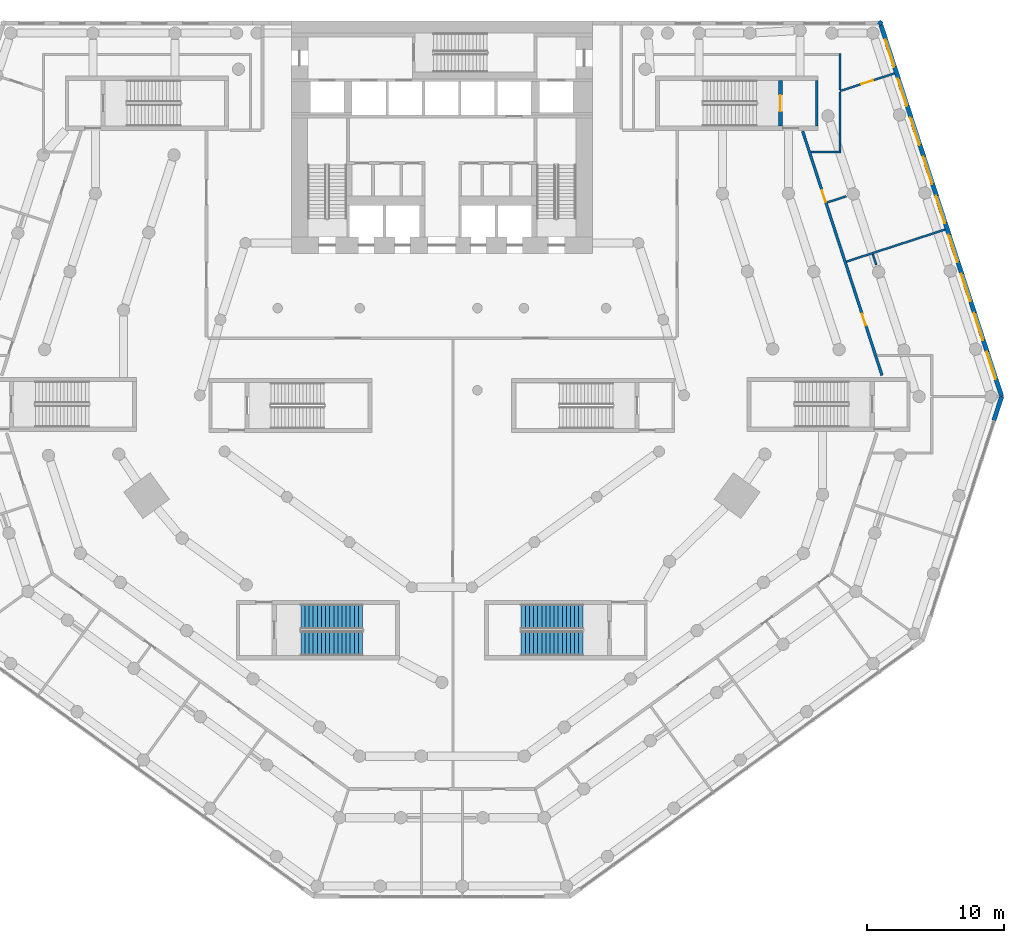
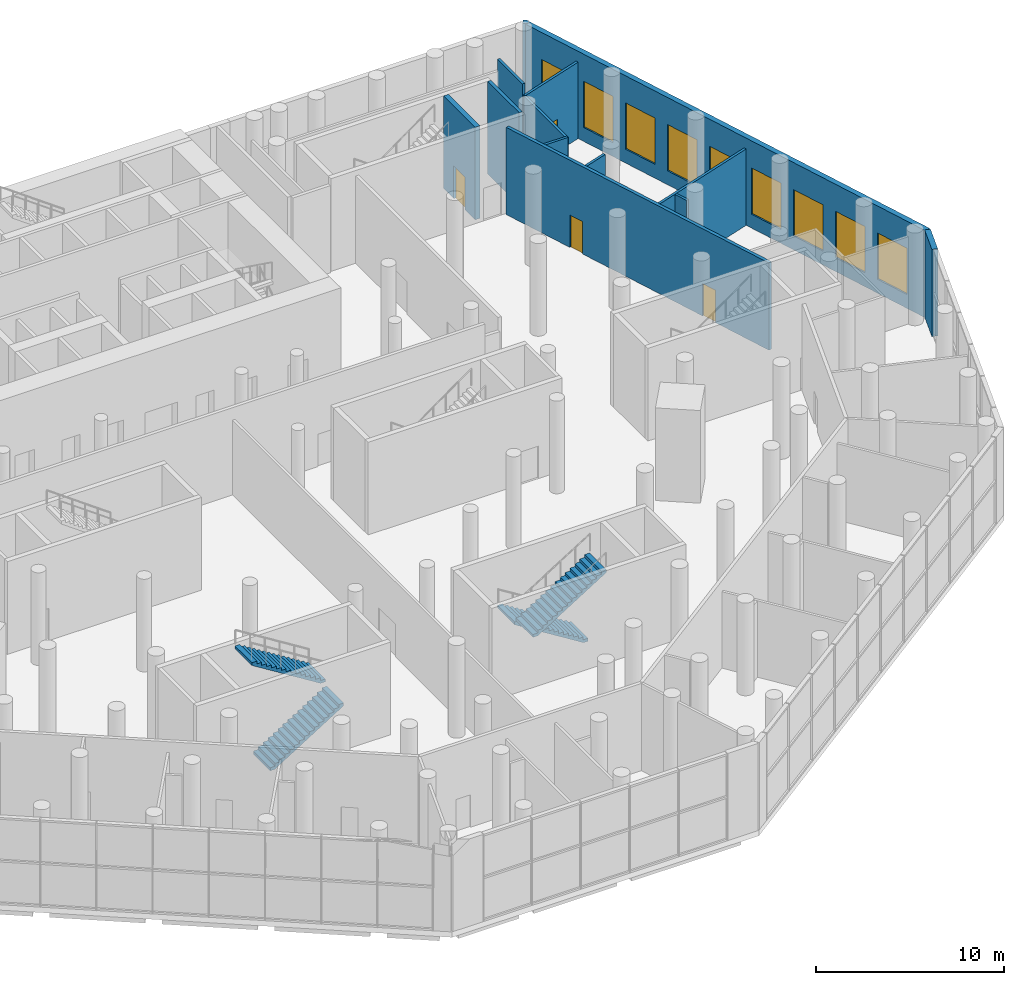
# One storey, part 18 of 23: 13 walls, 9 windows, 4 doors, 4 stair flights, 13 openings, 2 elements without a shape of their own.
"""IFC4 building model written with IfcOpenShell, lengths in metres."""

from ifc_helpers import new_model, si_unit, direction, frame, frame_2d, origin, place, context, subcontext, project, spatial, polyline, rectangle, outline, extrude, material, layer, layer_set, type_object, element, fill, aggregate, save


model = new_model("IFC4")

# Units and contexts
model_context = context("Model", 3, precision=1e-05, world=origin(), true_north=direction((0.0, 1.0)))
body_context = subcontext(model_context, "Body", "Model", "MODEL_VIEW")
ifc_project = project(units=[si_unit("LENGTHUNIT", "METRE"), si_unit("AREAUNIT", "SQUARE_METRE"), si_unit("VOLUMEUNIT", "CUBIC_METRE"), si_unit("PLANEANGLEUNIT", "RADIAN"), si_unit("MASSUNIT", "GRAM", prefix="KILO")], contexts=[model_context])

# Site, building, storey
site_placement = place(None, origin())
site = spatial("IfcSite", under=ifc_project, at=site_placement, CompositionType="ELEMENT")
building_placement = place(site_placement, origin())
building = spatial("IfcBuilding", under=site, at=building_placement, Name="White Candle Pilgrim Tower", CompositionType="ELEMENT")
storey_placement = place(building_placement, frame((0.0, 0.0, 9.0)))
storey = spatial("IfcBuildingStorey", under=building, at=storey_placement, Name="L01", CompositionType="ELEMENT", Elevation=9.0)

# Wall
ifc_material_1 = material(Name="Concrete C70/85", Category="concrete")
ifc_layer_1 = layer(ifc_material_1, 0.199951171875)
ifc_layer_set_1 = layer_set([ifc_layer_1], Name="Core wall 200 mm Concrete C70/85")
wall_type_1 = type_object("IfcWallType", Name="Core wall 200 mm Concrete C70/85", PredefinedType="SHEAR", material=ifc_layer_set_1)
wall_1_placement = place(storey_placement, frame((97.39990234375, 80.300048828125, 0.0), z_axis=(0.0, 0.0, 1.0), x_axis=(0.0, 1.0, 0.0)))
element("IfcWall", 1, at=wall_1_placement, inside=storey, type_object=wall_type_1, Name="WL-L01-C61", PredefinedType="SHEAR", context=body_context, shape_type="SweptSolid", body=[
    extrude(rectangle(XDim=3.349853515625, YDim=0.199951171875, at=frame_2d((1.6748046875, 0.0))), origin(), (0.0, 0.0, 1.0), 6.0),
])

# Wall, openings, doors
ifc_material_2 = material(Name="Gypsum board on steel studs", Category="steel")
ifc_layer_2 = layer(ifc_material_2, 0.199951171875)
ifc_layer_set_2 = layer_set([ifc_layer_2], Name="Corridor wall 200 mm EI 45")
wall_type_2 = type_object("IfcWallType", Name="Corridor wall 200 mm EI 45", PredefinedType="PARTITIONING", material=ifc_layer_set_2)
wall_2_placement = place(storey_placement, frame((96.36767578125, 79.930908203125, 0.0), z_axis=(0.0, 0.0, 1.0), x_axis=(0.309014892187, -0.951057199335, 0.0)))
wall_2 = element("IfcWall", 2, at=wall_2_placement, inside=storey, type_object=wall_type_2, Name="WL-L01-P007", PredefinedType="PARTITIONING", context=body_context, shape_type="SweptSolid", body=[
    extrude(rectangle(XDim=18.768798828125, YDim=0.199951171875, at=frame_2d((9.38427734375, 0.0))), origin(), (0.0, 0.0, 1.0), 5.64990234375),
])
opening_1_placement = place(wall_2_placement, frame((14.029296875, 0.0, 0.0)))
opening_1 = element("IfcOpeningElement", 3, at=opening_1_placement, cuts=wall_2, Name="Opening L01-119", PredefinedType="OPENING", context=body_context, shape_type="SweptSolid", body=[
    extrude(rectangle(XDim=0.89990234375, YDim=2.10009765625, at=frame_2d((0.449951171875, 1.050048828125))), frame((0.0, 0.10986328125, 0.0), z_axis=(0.0, -1.0, 0.0), x_axis=(1.0, 0.0, 0.0)), (0.0, 0.0, 1.0), 0.219970703125),
])
opening_2_placement = place(wall_2_placement, frame((4.539794921875, 0.0, 0.0)))
opening_2 = element("IfcOpeningElement", 4, at=opening_2_placement, cuts=wall_2, Name="Opening L01-120", PredefinedType="OPENING", context=body_context, shape_type="SweptSolid", body=[
    extrude(rectangle(XDim=0.89990234375, YDim=2.10009765625, at=frame_2d((0.449951171875, 1.050048828125))), frame((0.0, 0.10986328125, 0.0), z_axis=(0.0, -1.0, 0.0), x_axis=(1.0, 0.0, 0.0)), (0.0, 0.0, 1.0), 0.219970703125),
])
ifc_material_3 = material(Name="Steel door leaf", Category="steel")
door_type_1 = type_object("IfcDoorType", Name="Fire door 900 x 2100 EI 30", OperationType="NOTDEFINED", PredefinedType="DOOR", material=ifc_material_3)
door_1_placement = place(opening_1_placement, origin())
door_1 = element("IfcDoor", 5, at=door_1_placement, inside=storey, type_object=door_type_1, Name="Door L01-119", OperationType="SINGLE_SWING_LEFT", OverallHeight=2.10009765625, OverallWidth=0.89990234375, PredefinedType="DOOR", context=body_context, shape_type="SweptSolid", body=[
    extrude(rectangle(XDim=0.89990234375, YDim=2.10009765625, at=frame_2d((0.449951171875, 1.050048828125))), frame((0.0, 0.02490234375, 0.0), z_axis=(0.0, -1.0, 0.0), x_axis=(1.0, 0.0, 0.0)), (0.0, 0.0, 1.0), 0.050048828125),
])
fill(opening_1, door_1)
door_2_placement = place(opening_2_placement, origin())
door_2 = element("IfcDoor", 6, at=door_2_placement, inside=storey, type_object=door_type_1, Name="Door L01-120", OperationType="SINGLE_SWING_RIGHT", OverallHeight=2.10009765625, OverallWidth=0.89990234375, PredefinedType="DOOR", context=body_context, shape_type="SweptSolid", body=[
    extrude(rectangle(XDim=0.89990234375, YDim=2.10009765625, at=frame_2d((0.449951171875, 1.050048828125))), frame((0.0, 0.02490234375, 0.0), z_axis=(0.0, -1.0, 0.0), x_axis=(1.0, 0.0, 0.0)), (0.0, 0.0, 1.0), 0.050048828125),
])
fill(opening_2, door_2)

# Walls
ifc_material_4 = material(Name="Precast concrete C40/50", Category="concrete")
ifc_layer_3 = layer(ifc_material_4, 0.320068359375)
ifc_layer_set_3 = layer_set([ifc_layer_3], Name="Facade wall EW3 precast concrete C40/50 and stone-faced podium wall")
wall_type_3 = type_object("IfcWallType", Name="Facade wall EW3 precast concrete C40/50 and stone-faced podium wall", PredefinedType="SOLIDWALL", material=ifc_layer_set_3)
wall_3_placement = place(storey_placement, frame((102.16259765625, 87.751953125, 0.0), z_axis=(0.0, 0.0, 1.0), x_axis=(-0.809087927272, 0.587687609145, 0.0)))
element("IfcWall", 7, at=wall_3_placement, inside=storey, type_object=wall_type_3, Name="Corner pier L01 ENE", PredefinedType="SOLIDWALL", context=body_context, shape_type="SweptSolid", body=[
    extrude(rectangle(XDim=0.300048828125, YDim=0.320068359375, at=frame_2d((0.14990234375, 0.0))), origin(), (0.0, 0.0, 1.0), 5.64990234375),
])
wall_4_placement = place(storey_placement, frame((110.33984375, 58.77880859375, 0.0), z_axis=(0.0, 0.0, 1.0), x_axis=(0.309056246022, 0.951043761766, 0.0)))
element("IfcWall", 8, at=wall_4_placement, inside=storey, type_object=wall_type_3, Name="Facade wall L01 E chamfer", PredefinedType="SOLIDWALL", context=body_context, shape_type="SweptSolid", body=[
    extrude(rectangle(XDim=1.850830078125, YDim=0.320068359375, at=frame_2d((0.92529296875, 0.0))), origin(), (0.0, 0.0, 1.0), 5.64990234375),
])

# Wall, openings, windows
wall_5_placement = place(storey_placement, frame((110.911865234375, 60.5390625, 0.0), z_axis=(0.0, 0.0, 1.0), x_axis=(-0.309016476183, 0.951056684666, 0.0)))
wall_5 = element("IfcWall", 9, at=wall_5_placement, inside=storey, type_object=wall_type_3, Name="Facade wall L01 ENE", PredefinedType="SOLIDWALL", context=body_context, shape_type="SweptSolid", body=[
    extrude(rectangle(XDim=28.555908203125, YDim=0.320068359375, at=frame_2d((14.27783203125, 0.0))), origin(), (0.0, 0.0, 1.0), 5.64990234375),
])
opening_3_placement = place(wall_5_placement, frame((1.3349609375, 0.0, 0.89990234375)))
opening_3 = element("IfcOpeningElement", 10, at=opening_3_placement, cuts=wall_5, Name="Opening W7", PredefinedType="OPENING", context=body_context, shape_type="SweptSolid", body=[
    extrude(rectangle(XDim=2.10009765625, YDim=3.0, at=frame_2d((1.050048828125, 1.5))), frame((0.0, 0.169921875, 0.0), z_axis=(0.0, -1.0, 0.0), x_axis=(1.0, 0.0, 0.0)), (0.0, 0.0, 1.0), 0.340087890625),
])
opening_4_placement = place(wall_5_placement, frame((4.3349609375, 0.0, 0.89990234375)))
opening_4 = element("IfcOpeningElement", 11, at=opening_4_placement, cuts=wall_5, Name="Opening W7", PredefinedType="OPENING", context=body_context, shape_type="SweptSolid", body=[
    extrude(rectangle(XDim=2.10009765625, YDim=3.0, at=frame_2d((1.050048828125, 1.5))), frame((0.0, 0.169921875, 0.0), z_axis=(0.0, -1.0, 0.0), x_axis=(1.0, 0.0, 0.0)), (0.0, 0.0, 1.0), 0.340087890625),
])
opening_5_placement = place(wall_5_placement, frame((7.3349609375, 0.0, 0.89990234375)))
opening_5 = element("IfcOpeningElement", 12, at=opening_5_placement, cuts=wall_5, Name="Opening W7", PredefinedType="OPENING", context=body_context, shape_type="SweptSolid", body=[
    extrude(rectangle(XDim=2.10009765625, YDim=3.0, at=frame_2d((1.050048828125, 1.5))), frame((0.0, 0.169921875, 0.0), z_axis=(0.0, -1.0, 0.0), x_axis=(1.0, 0.0, 0.0)), (0.0, 0.0, 1.0), 0.340087890625),
])
opening_6_placement = place(wall_5_placement, frame((10.3349609375, 0.0, 0.89990234375)))
opening_6 = element("IfcOpeningElement", 13, at=opening_6_placement, cuts=wall_5, Name="Opening W7", PredefinedType="OPENING", context=body_context, shape_type="SweptSolid", body=[
    extrude(rectangle(XDim=2.10009765625, YDim=3.0, at=frame_2d((1.050048828125, 1.5))), frame((0.0, 0.169921875, 0.0), z_axis=(0.0, -1.0, 0.0), x_axis=(1.0, 0.0, 0.0)), (0.0, 0.0, 1.0), 0.340087890625),
])
opening_7_placement = place(wall_5_placement, frame((13.3349609375, 0.0, 0.89990234375)))
opening_7 = element("IfcOpeningElement", 14, at=opening_7_placement, cuts=wall_5, Name="Opening W7", PredefinedType="OPENING", context=body_context, shape_type="SweptSolid", body=[
    extrude(rectangle(XDim=2.10009765625, YDim=3.0, at=frame_2d((1.050048828125, 1.5))), frame((0.0, 0.169921875, 0.0), z_axis=(0.0, -1.0, 0.0), x_axis=(1.0, 0.0, 0.0)), (0.0, 0.0, 1.0), 0.340087890625),
])
opening_8_placement = place(wall_5_placement, frame((16.3349609375, 0.0, 0.89990234375)))
opening_8 = element("IfcOpeningElement", 15, at=opening_8_placement, cuts=wall_5, Name="Opening W7", PredefinedType="OPENING", context=body_context, shape_type="SweptSolid", body=[
    extrude(rectangle(XDim=2.10009765625, YDim=3.0, at=frame_2d((1.050048828125, 1.5))), frame((0.0, 0.169921875, 0.0), z_axis=(0.0, -1.0, 0.0), x_axis=(1.0, 0.0, 0.0)), (0.0, 0.0, 1.0), 0.340087890625),
])
opening_9_placement = place(wall_5_placement, frame((19.3349609375, 0.0, 0.89990234375)))
opening_9 = element("IfcOpeningElement", 16, at=opening_9_placement, cuts=wall_5, Name="Opening W7", PredefinedType="OPENING", context=body_context, shape_type="SweptSolid", body=[
    extrude(rectangle(XDim=2.10009765625, YDim=3.0, at=frame_2d((1.050048828125, 1.5))), frame((0.0, 0.169921875, 0.0), z_axis=(0.0, -1.0, 0.0), x_axis=(1.0, 0.0, 0.0)), (0.0, 0.0, 1.0), 0.340087890625),
])
opening_10_placement = place(wall_5_placement, frame((22.3349609375, 0.0, 0.89990234375)))
opening_10 = element("IfcOpeningElement", 17, at=opening_10_placement, cuts=wall_5, Name="Opening W7", PredefinedType="OPENING", context=body_context, shape_type="SweptSolid", body=[
    extrude(rectangle(XDim=2.10009765625, YDim=3.0, at=frame_2d((1.050048828125, 1.5))), frame((0.0, 0.169921875, 0.0), z_axis=(0.0, -1.0, 0.0), x_axis=(1.0, 0.0, 0.0)), (0.0, 0.0, 1.0), 0.340087890625),
])
opening_11_placement = place(wall_5_placement, frame((25.3349609375, 0.0, 0.89990234375)))
opening_11 = element("IfcOpeningElement", 18, at=opening_11_placement, cuts=wall_5, Name="Opening W7", PredefinedType="OPENING", context=body_context, shape_type="SweptSolid", body=[
    extrude(rectangle(XDim=2.10009765625, YDim=3.0, at=frame_2d((1.050048828125, 1.5))), frame((0.0, 0.169921875, 0.0), z_axis=(0.0, -1.0, 0.0), x_axis=(1.0, 0.0, 0.0)), (0.0, 0.0, 1.0), 0.340087890625),
])
ifc_material_5 = material(Name="Timber frame with triple glazing", Category="wood")
window_type = type_object("IfcWindowType", Name="Window W7 2100x3000 timber frame triple glazing", PartitioningType="SINGLE_PANEL", PredefinedType="WINDOW", material=ifc_material_5)
window_1_placement = place(opening_3_placement, origin())
window_1 = element("IfcWindow", 19, at=window_1_placement, inside=storey, type_object=window_type, Name="Window W7 L01 ENE 1", OverallHeight=3.0, OverallWidth=2.10009765625, PartitioningType="SINGLE_PANEL", PredefinedType="WINDOW", context=body_context, shape_type="SweptSolid", body=[
    extrude(rectangle(XDim=2.10009765625, YDim=3.0, at=frame_2d((1.050048828125, 1.5))), frame((0.0, 0.070068359375, 0.0), z_axis=(0.0, -1.0, 0.0), x_axis=(1.0, 0.0, 0.0)), (0.0, 0.0, 1.0), 0.06005859375),
])
fill(opening_3, window_1)
window_2_placement = place(opening_4_placement, origin())
window_2 = element("IfcWindow", 20, at=window_2_placement, inside=storey, type_object=window_type, Name="Window W7 L01 ENE 2", OverallHeight=3.0, OverallWidth=2.10009765625, PartitioningType="SINGLE_PANEL", PredefinedType="WINDOW", context=body_context, shape_type="SweptSolid", body=[
    extrude(rectangle(XDim=2.10009765625, YDim=3.0, at=frame_2d((1.050048828125, 1.5))), frame((0.0, 0.070068359375, 0.0), z_axis=(0.0, -1.0, 0.0), x_axis=(1.0, 0.0, 0.0)), (0.0, 0.0, 1.0), 0.06005859375),
])
fill(opening_4, window_2)
window_3_placement = place(opening_5_placement, origin())
window_3 = element("IfcWindow", 21, at=window_3_placement, inside=storey, type_object=window_type, Name="Window W7 L01 ENE 3", OverallHeight=3.0, OverallWidth=2.10009765625, PartitioningType="SINGLE_PANEL", PredefinedType="WINDOW", context=body_context, shape_type="SweptSolid", body=[
    extrude(rectangle(XDim=2.10009765625, YDim=3.0, at=frame_2d((1.050048828125, 1.5))), frame((0.0, 0.070068359375, 0.0), z_axis=(0.0, -1.0, 0.0), x_axis=(1.0, 0.0, 0.0)), (0.0, 0.0, 1.0), 0.06005859375),
])
fill(opening_5, window_3)
window_4_placement = place(opening_6_placement, origin())
window_4 = element("IfcWindow", 22, at=window_4_placement, inside=storey, type_object=window_type, Name="Window W7 L01 ENE 4", OverallHeight=3.0, OverallWidth=2.10009765625, PartitioningType="SINGLE_PANEL", PredefinedType="WINDOW", context=body_context, shape_type="SweptSolid", body=[
    extrude(rectangle(XDim=2.10009765625, YDim=3.0, at=frame_2d((1.050048828125, 1.5))), frame((0.0, 0.070068359375, 0.0), z_axis=(0.0, -1.0, 0.0), x_axis=(1.0, 0.0, 0.0)), (0.0, 0.0, 1.0), 0.06005859375),
])
fill(opening_6, window_4)
window_5_placement = place(opening_7_placement, origin())
window_5 = element("IfcWindow", 23, at=window_5_placement, inside=storey, type_object=window_type, Name="Window W7 L01 ENE 5", OverallHeight=3.0, OverallWidth=2.10009765625, PartitioningType="SINGLE_PANEL", PredefinedType="WINDOW", context=body_context, shape_type="SweptSolid", body=[
    extrude(rectangle(XDim=2.10009765625, YDim=3.0, at=frame_2d((1.050048828125, 1.5))), frame((0.0, 0.070068359375, 0.0), z_axis=(0.0, -1.0, 0.0), x_axis=(1.0, 0.0, 0.0)), (0.0, 0.0, 1.0), 0.06005859375),
])
fill(opening_7, window_5)
window_6_placement = place(opening_8_placement, origin())
window_6 = element("IfcWindow", 24, at=window_6_placement, inside=storey, type_object=window_type, Name="Window W7 L01 ENE 6", OverallHeight=3.0, OverallWidth=2.10009765625, PartitioningType="SINGLE_PANEL", PredefinedType="WINDOW", context=body_context, shape_type="SweptSolid", body=[
    extrude(rectangle(XDim=2.10009765625, YDim=3.0, at=frame_2d((1.050048828125, 1.5))), frame((0.0, 0.070068359375, 0.0), z_axis=(0.0, -1.0, 0.0), x_axis=(1.0, 0.0, 0.0)), (0.0, 0.0, 1.0), 0.06005859375),
])
fill(opening_8, window_6)
window_7_placement = place(opening_9_placement, origin())
window_7 = element("IfcWindow", 25, at=window_7_placement, inside=storey, type_object=window_type, Name="Window W7 L01 ENE 7", OverallHeight=3.0, OverallWidth=2.10009765625, PartitioningType="SINGLE_PANEL", PredefinedType="WINDOW", context=body_context, shape_type="SweptSolid", body=[
    extrude(rectangle(XDim=2.10009765625, YDim=3.0, at=frame_2d((1.050048828125, 1.5))), frame((0.0, 0.070068359375, 0.0), z_axis=(0.0, -1.0, 0.0), x_axis=(1.0, 0.0, 0.0)), (0.0, 0.0, 1.0), 0.06005859375),
])
fill(opening_9, window_7)
window_8_placement = place(opening_10_placement, origin())
window_8 = element("IfcWindow", 26, at=window_8_placement, inside=storey, type_object=window_type, Name="Window W7 L01 ENE 8", OverallHeight=3.0, OverallWidth=2.10009765625, PartitioningType="SINGLE_PANEL", PredefinedType="WINDOW", context=body_context, shape_type="SweptSolid", body=[
    extrude(rectangle(XDim=2.10009765625, YDim=3.0, at=frame_2d((1.050048828125, 1.5))), frame((0.0, 0.070068359375, 0.0), z_axis=(0.0, -1.0, 0.0), x_axis=(1.0, 0.0, 0.0)), (0.0, 0.0, 1.0), 0.06005859375),
])
fill(opening_10, window_8)
window_9_placement = place(opening_11_placement, origin())
window_9 = element("IfcWindow", 27, at=window_9_placement, inside=storey, type_object=window_type, Name="Window W7 L01 ENE 9", OverallHeight=3.0, OverallWidth=2.10009765625, PartitioningType="SINGLE_PANEL", PredefinedType="WINDOW", context=body_context, shape_type="SweptSolid", body=[
    extrude(rectangle(XDim=2.10009765625, YDim=3.0, at=frame_2d((1.050048828125, 1.5))), frame((0.0, 0.070068359375, 0.0), z_axis=(0.0, -1.0, 0.0), x_axis=(1.0, 0.0, 0.0)), (0.0, 0.0, 1.0), 0.06005859375),
])
fill(opening_11, window_9)

# Wall
ifc_layer_4 = layer(ifc_material_2, 0.14990234375)
ifc_layer_set_4 = layer_set([ifc_layer_4], Name="Partition 150 mm EI 60")
wall_type_4 = type_object("IfcWallType", Name="Partition 150 mm EI 60", PredefinedType="PARTITIONING", material=ifc_layer_set_4)
wall_6_placement = place(storey_placement, frame((106.778076171875, 72.744140625, 0.0), z_axis=(0.0, 0.0, 1.0), x_axis=(-0.951058681979, -0.309010329007, 0.0)))
element("IfcWall", 28, at=wall_6_placement, inside=storey, type_object=wall_type_4, Name="WL-L01-P031", PredefinedType="PARTITIONING", context=body_context, shape_type="SweptSolid", body=[
    extrude(rectangle(XDim=7.580078125, YDim=0.14990234375, at=frame_2d((3.7900390625, 0.0))), origin(), (0.0, 0.0, 1.0), 4.949951171875),
])

# Wall, opening, door
wall_7_placement = place(storey_placement, frame((103.06982421875, 84.15673828125, 0.0), z_axis=(0.0, 0.0, 1.0), x_axis=(-0.951059855583, -0.309006716915, 0.0)))
wall_7 = element("IfcWall", 29, at=wall_7_placement, inside=storey, type_object=wall_type_4, Name="WL-L01-P032", PredefinedType="PARTITIONING", context=body_context, shape_type="SweptSolid", body=[
    extrude(rectangle(XDim=4.174072265625, YDim=0.14990234375, at=frame_2d((2.0869140625, 0.0))), origin(), (0.0, 0.0, 1.0), 4.949951171875),
])
opening_12_placement = place(wall_7_placement, frame((1.636962890625, 0.0, 0.0)))
opening_12 = element("IfcOpeningElement", 30, at=opening_12_placement, cuts=wall_7, Name="Opening L01-129", PredefinedType="OPENING", context=body_context, shape_type="SweptSolid", body=[
    extrude(rectangle(XDim=0.89990234375, YDim=2.10009765625, at=frame_2d((0.449951171875, 1.050048828125))), frame((0.0, 0.0849609375, 0.0), z_axis=(0.0, -1.0, 0.0), x_axis=(1.0, 0.0, 0.0)), (0.0, 0.0, 1.0), 0.169921875),
])
door_3_placement = place(opening_12_placement, frame((0.89990234375, 0.0, 0.0), z_axis=(0.0, 0.0, 1.0), x_axis=(-1.0, 0.0, 0.0)))
door_3 = element("IfcDoor", 31, at=door_3_placement, inside=storey, type_object=door_type_1, Name="Door L01-129", OperationType="SINGLE_SWING_RIGHT", OverallHeight=2.10009765625, OverallWidth=0.89990234375, PredefinedType="DOOR", context=body_context, shape_type="SweptSolid", body=[
    extrude(rectangle(XDim=0.89990234375, YDim=2.10009765625, at=frame_2d((0.449951171875, 1.050048828125))), frame((0.0, 0.02490234375, 0.0), z_axis=(0.0, -1.0, 0.0), x_axis=(1.0, 0.0, 0.0)), (0.0, 0.0, 1.0), 0.050048828125),
])
fill(opening_12, door_3)

# Walls
wall_8_placement = place(storey_placement, frame((101.747802734375, 70.152099609375, 0.0), z_axis=(0.0, 0.0, 1.0), x_axis=(-0.309033234433, 0.951051239427, 0.0)))
element("IfcWall", 32, at=wall_8_placement, inside=storey, type_object=wall_type_4, Name="WL-L01-P049", PredefinedType="PARTITIONING", context=body_context, shape_type="SweptSolid", body=[
    extrude(rectangle(XDim=0.8359375, YDim=0.14990234375, at=frame_2d((0.41796875, 0.0))), origin(), (0.0, 0.0, 1.0), 4.949951171875),
])
wall_9_placement = place(storey_placement, frame((99.552978515625, 75.1748046875, 0.0), z_axis=(0.0, 0.0, 1.0), x_axis=(-0.951096728911, -0.308893205257, 0.0)))
element("IfcWall", 33, at=wall_9_placement, inside=storey, type_object=wall_type_4, Name="WL-L01-P050", PredefinedType="PARTITIONING", context=body_context, shape_type="SweptSolid", body=[
    extrude(rectangle(XDim=1.459716796875, YDim=0.14990234375, at=frame_2d((0.72998046875, 0.0))), origin(), (0.0, 0.0, 1.0), 5.64990234375),
])
wall_10_placement = place(storey_placement, frame((99.10009765625, 82.948974609375, 0.0), z_axis=(0.0, 0.0, 1.0), x_axis=(0.0, 1.0, 0.0)))
element("IfcWall", 34, at=wall_10_placement, inside=storey, type_object=wall_type_4, Name="WL-L01-P062", PredefinedType="PARTITIONING", context=body_context, shape_type="SweptSolid", body=[
    extrude(rectangle(XDim=2.6611328125, YDim=0.14990234375, at=frame_2d((1.33056640625, 0.0))), origin(), (0.0, 0.0, 1.0), 5.64990234375),
])
wall_11_placement = place(storey_placement, frame((96.973388671875, 78.39990234375, 0.0), z_axis=(0.0, 0.0, 1.0), x_axis=(1.0, 0.0, 0.0)))
element("IfcWall", 35, at=wall_11_placement, inside=storey, type_object=wall_type_4, Name="WL-L01-P065", PredefinedType="PARTITIONING", context=body_context, shape_type="SweptSolid", body=[
    extrude(rectangle(XDim=2.1865234375, YDim=0.14990234375, at=frame_2d((1.09326171875, 0.0))), origin(), (0.0, 0.0, 1.0), 4.949951171875),
])
wall_12_placement = place(storey_placement, frame((99.10009765625, 78.340087890625, 0.0), z_axis=(0.0, 0.0, 1.0), x_axis=(0.0, 1.0, 0.0)))
element("IfcWall", 36, at=wall_12_placement, inside=storey, type_object=wall_type_4, Name="WL-L01-P066", PredefinedType="PARTITIONING", context=body_context, shape_type="SweptSolid", body=[
    extrude(rectangle(XDim=4.460205078125, YDim=0.14990234375, at=frame_2d((2.22998046875, 0.0))), origin(), (0.0, 0.0, 1.0), 4.949951171875),
])

# Wall, opening, door
ifc_layer_5 = layer(ifc_material_1, 0.300048828125)
ifc_layer_set_5 = layer_set([ifc_layer_5], Name="Stair shaft wall 300 mm Concrete C70/85")
wall_type_5 = type_object("IfcWallType", Name="Stair shaft wall 300 mm Concrete C70/85", PredefinedType="SHEAR", material=ifc_layer_set_5)
wall_13_placement = place(storey_placement, frame((94.75, 80.300048828125, 0.0), z_axis=(0.0, 0.0, 1.0), x_axis=(0.0, 1.0, 0.0)))
wall_13 = element("IfcWall", 37, at=wall_13_placement, inside=storey, type_object=wall_type_5, Name="WL-L01-C60", PredefinedType="SHEAR", context=body_context, shape_type="SweptSolid", body=[
    extrude(rectangle(XDim=3.349853515625, YDim=0.300048828125, at=frame_2d((1.6748046875, 0.0))), origin(), (0.0, 0.0, 1.0), 6.0),
])
opening_13_placement = place(wall_13_placement, frame((1.074951171875, 0.0, 0.0)))
opening_13 = element("IfcOpeningElement", 38, at=opening_13_placement, cuts=wall_13, Name="Opening L01-022", PredefinedType="OPENING", context=body_context, shape_type="SweptSolid", body=[
    extrude(rectangle(XDim=1.199951171875, YDim=2.10009765625, at=frame_2d((0.60009765625, 1.050048828125))), frame((0.0, 0.159912109375, 0.0), z_axis=(0.0, -1.0, 0.0), x_axis=(1.0, 0.0, 0.0)), (0.0, 0.0, 1.0), 0.320068359375),
])
door_type_2 = type_object("IfcDoorType", Name="Fire door 1200 x 2100 EI 60", OperationType="NOTDEFINED", PredefinedType="DOOR", material=ifc_material_3)
door_4_placement = place(opening_13_placement, origin())
door_4 = element("IfcDoor", 39, at=door_4_placement, inside=storey, type_object=door_type_2, Name="Door L01-022", OperationType="SINGLE_SWING_RIGHT", OverallHeight=2.10009765625, OverallWidth=1.199951171875, PredefinedType="DOOR", context=body_context, shape_type="SweptSolid", body=[
    extrude(rectangle(XDim=1.199951171875, YDim=2.10009765625, at=frame_2d((0.60009765625, 1.050048828125))), frame((0.0, 0.02490234375, 0.0), z_axis=(0.0, -1.0, 0.0), x_axis=(1.0, 0.0, 0.0)), (0.0, 0.0, 1.0), 0.050048828125),
])
fill(opening_13, door_4)

# Stair, stair flights
ifc_material_6 = material(Name="Concrete C40/50", Category="concrete")
stair_type_1 = type_object("IfcStairType", Name="Exit stair 6 flight width 1800 mm", PredefinedType="HALF_TURN_STAIR", material=ifc_material_6)
stair_1_placement = place(storey_placement, origin())
stair_1 = element("IfcStair", 40, at=stair_1_placement, inside=storey, type_object=stair_type_1, Name="L01 stair 6", PredefinedType="NOTDEFINED")
ifc_layer_6 = layer(ifc_material_6, 0.14990234375)
ifc_layer_set_6 = layer_set([ifc_layer_6], Name="Stair flight Concrete C40/50")
stair_flight_type = type_object("IfcStairFlightType", Name="Stair flight Concrete C40/50", PredefinedType="STRAIGHT", material=ifc_layer_set_6)
stair_flight_1_placement = place(storey_placement, frame((59.699951171875, 42.5, 0.0), z_axis=(0.0, 0.0, 1.0), x_axis=(1.0, 0.0, 0.0)))
stair_flight_1 = element("IfcStairFlight", 41, at=stair_flight_1_placement, type_object=stair_flight_type, Name="ST6 flight 1", NumberOfRisers=16, NumberOfTreads=15, PredefinedType="NOTDEFINED", RiserHeight=0.1875, TreadLength=0.3, context=body_context, shape_type="SweptSolid", body=[
    extrude(outline(polyline([(0.0, 0.0), (0.0, 0.1875), (0.300048828125, 0.1875), (0.300048828125, 0.375), (0.60009765625, 0.375), (0.60009765625, 0.5625), (0.89990234375, 0.5625), (0.89990234375, 0.75), (1.199951171875, 0.75), (1.199951171875, 0.9375), (1.5, 0.9375), (1.5, 1.125), (1.800048828125, 1.125), (1.800048828125, 1.3125), (2.10009765625, 1.3125), (2.10009765625, 1.5), (2.39990234375, 1.5), (2.39990234375, 1.6875), (2.699951171875, 1.6875), (2.699951171875, 1.875), (3.0, 1.875), (3.0, 2.0625), (3.300048828125, 2.0625), (3.300048828125, 2.25), (3.60009765625, 2.25), (3.60009765625, 2.4375), (3.89990234375, 2.4375), (3.89990234375, 2.625), (4.199951171875, 2.625), (4.199951171875, 2.8125), (4.5, 2.8125), (4.5, 3.0), (4.5, 2.6357421875), (0.28271484375, 0.0), (0.0, 0.0)])), frame((0.0, 0.89990234375, 0.0), z_axis=(0.0, -1.0, 0.0), x_axis=(1.0, 0.0, 0.0)), (0.0, 0.0, 1.0), 1.800048828125),
])
stair_flight_2_placement = place(storey_placement, frame((64.199951171875, 44.449951171875, 3.0), z_axis=(0.0, 0.0, 1.0), x_axis=(-1.0, 0.0, 0.0)))
stair_flight_2 = element("IfcStairFlight", 42, at=stair_flight_2_placement, type_object=stair_flight_type, Name="ST6 flight 2", NumberOfRisers=16, NumberOfTreads=15, PredefinedType="NOTDEFINED", RiserHeight=0.1875, TreadLength=0.3, context=body_context, shape_type="SweptSolid", body=[
    extrude(outline(polyline([(0.0, 0.0), (0.0, 0.1875), (0.300048828125, 0.1875), (0.300048828125, 0.375), (0.60009765625, 0.375), (0.60009765625, 0.5625), (0.89990234375, 0.5625), (0.89990234375, 0.75), (1.199951171875, 0.75), (1.199951171875, 0.9375), (1.5, 0.9375), (1.5, 1.125), (1.800048828125, 1.125), (1.800048828125, 1.3125), (2.10009765625, 1.3125), (2.10009765625, 1.5), (2.39990234375, 1.5), (2.39990234375, 1.6875), (2.699951171875, 1.6875), (2.699951171875, 1.875), (3.0, 1.875), (3.0, 2.0625), (3.300048828125, 2.0625), (3.300048828125, 2.25), (3.60009765625, 2.25), (3.60009765625, 2.4375), (3.89990234375, 2.4375), (3.89990234375, 2.625), (4.199951171875, 2.625), (4.199951171875, 2.8125), (4.5, 2.8125), (4.5, 3.0), (4.5, 2.6357421875), (0.28271484375, 0.0), (0.0, 0.0)])), frame((0.0, 0.89990234375, 0.0), z_axis=(0.0, -1.0, 0.0), x_axis=(1.0, 0.0, 0.0)), (0.0, 0.0, 1.0), 1.800048828125),
])
aggregate(stair_1, [stair_flight_1, stair_flight_2])

stair_type_2 = type_object("IfcStairType", Name="Exit stair 7 flight width 1800 mm", PredefinedType="HALF_TURN_STAIR", material=ifc_material_6)
stair_2_placement = place(storey_placement, origin())
stair_2 = element("IfcStair", 43, at=stair_2_placement, inside=storey, type_object=stair_type_2, Name="L01 stair 7", PredefinedType="NOTDEFINED")
stair_flight_3_placement = place(storey_placement, frame((80.300048828125, 44.449951171875, 0.0), z_axis=(0.0, 0.0, 1.0), x_axis=(-1.0, 0.0, 0.0)))
stair_flight_3 = element("IfcStairFlight", 44, at=stair_flight_3_placement, type_object=stair_flight_type, Name="ST7 flight 1", NumberOfRisers=16, NumberOfTreads=15, PredefinedType="NOTDEFINED", RiserHeight=0.1875, TreadLength=0.3, context=body_context, shape_type="SweptSolid", body=[
    extrude(outline(polyline([(0.0, 0.0), (0.0, 0.1875), (0.300048828125, 0.1875), (0.300048828125, 0.375), (0.60009765625, 0.375), (0.60009765625, 0.5625), (0.89990234375, 0.5625), (0.89990234375, 0.75), (1.199951171875, 0.75), (1.199951171875, 0.9375), (1.5, 0.9375), (1.5, 1.125), (1.800048828125, 1.125), (1.800048828125, 1.3125), (2.10009765625, 1.3125), (2.10009765625, 1.5), (2.39990234375, 1.5), (2.39990234375, 1.6875), (2.699951171875, 1.6875), (2.699951171875, 1.875), (3.0, 1.875), (3.0, 2.0625), (3.300048828125, 2.0625), (3.300048828125, 2.25), (3.60009765625, 2.25), (3.60009765625, 2.4375), (3.89990234375, 2.4375), (3.89990234375, 2.625), (4.199951171875, 2.625), (4.199951171875, 2.8125), (4.5, 2.8125), (4.5, 3.0), (4.5, 2.6357421875), (0.28271484375, 0.0), (0.0, 0.0)])), frame((0.0, 0.89990234375, 0.0), z_axis=(0.0, -1.0, 0.0), x_axis=(1.0, 0.0, 0.0)), (0.0, 0.0, 1.0), 1.800048828125),
])
stair_flight_4_placement = place(storey_placement, frame((75.800048828125, 42.5, 3.0), z_axis=(0.0, 0.0, 1.0), x_axis=(1.0, 0.0, 0.0)))
stair_flight_4 = element("IfcStairFlight", 45, at=stair_flight_4_placement, type_object=stair_flight_type, Name="ST7 flight 2", NumberOfRisers=16, NumberOfTreads=15, PredefinedType="NOTDEFINED", RiserHeight=0.1875, TreadLength=0.3, context=body_context, shape_type="SweptSolid", body=[
    extrude(outline(polyline([(0.0, 0.0), (0.0, 0.1875), (0.300048828125, 0.1875), (0.300048828125, 0.375), (0.60009765625, 0.375), (0.60009765625, 0.5625), (0.89990234375, 0.5625), (0.89990234375, 0.75), (1.199951171875, 0.75), (1.199951171875, 0.9375), (1.5, 0.9375), (1.5, 1.125), (1.800048828125, 1.125), (1.800048828125, 1.3125), (2.10009765625, 1.3125), (2.10009765625, 1.5), (2.39990234375, 1.5), (2.39990234375, 1.6875), (2.699951171875, 1.6875), (2.699951171875, 1.875), (3.0, 1.875), (3.0, 2.0625), (3.300048828125, 2.0625), (3.300048828125, 2.25), (3.60009765625, 2.25), (3.60009765625, 2.4375), (3.89990234375, 2.4375), (3.89990234375, 2.625), (4.199951171875, 2.625), (4.199951171875, 2.8125), (4.5, 2.8125), (4.5, 3.0), (4.5, 2.6357421875), (0.28271484375, 0.0), (0.0, 0.0)])), frame((0.0, 0.89990234375, 0.0), z_axis=(0.0, -1.0, 0.0), x_axis=(1.0, 0.0, 0.0)), (0.0, 0.0, 1.0), 1.800048828125),
])
aggregate(stair_2, [stair_flight_3, stair_flight_4])

save(model, "model.ifc")
